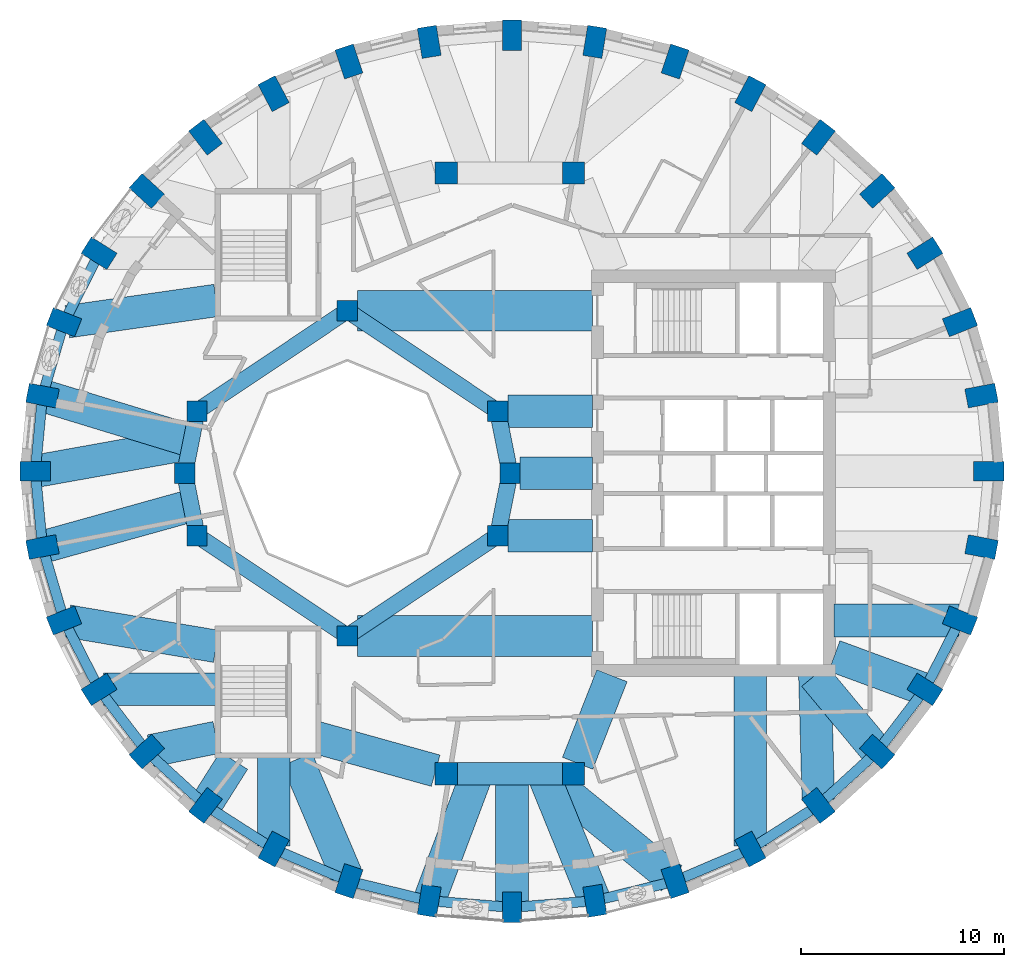
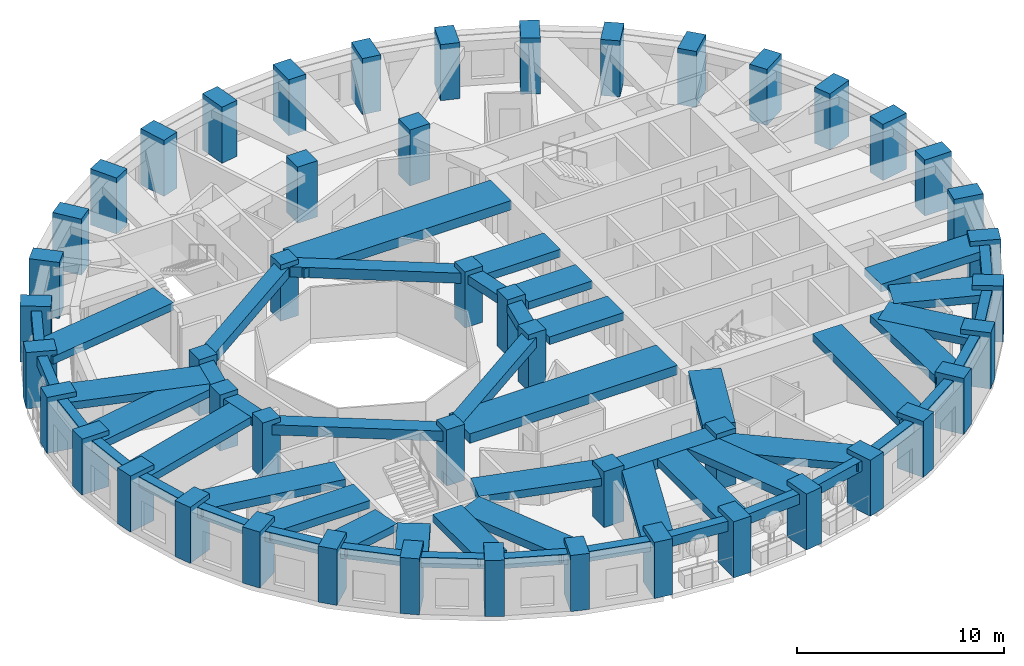
# One storey, part 1 of 11: 54 beams, 48 columns.
"""IFC4 building model written with IfcOpenShell, lengths in metres."""

from ifc_helpers import new_model, si_unit, direction, frame, origin, origin_2d, place, context, subcontext, project, spatial, rectangle, extrude, material, material_profile, profile_set, type_object, element, save


model = new_model("IFC4")

# Units and contexts
model_context = context("Model", 3, precision=1e-05, world=origin(), true_north=direction((0.0, 1.0)))
body_context = subcontext(model_context, "Body", "Model", "MODEL_VIEW")
ifc_project = project(units=[si_unit("LENGTHUNIT", "METRE"), si_unit("AREAUNIT", "SQUARE_METRE"), si_unit("VOLUMEUNIT", "CUBIC_METRE"), si_unit("PLANEANGLEUNIT", "RADIAN"), si_unit("MASSUNIT", "GRAM", prefix="KILO")], contexts=[model_context])

# Site, building, storey
site_placement = place(None, origin())
site = spatial("IfcSite", under=ifc_project, at=site_placement, CompositionType="ELEMENT")
building_placement = place(site_placement, origin())
building = spatial("IfcBuilding", under=site, at=building_placement, Name="Taillehof Tower", CompositionType="ELEMENT")
storey_placement = place(building_placement, frame((0.0, 0.0, 158.300048828125)))
storey = spatial("IfcBuildingStorey", under=building, at=storey_placement, Name="L44", CompositionType="ELEMENT", Elevation=158.300048828125)

# Columns
ifc_material_1 = material(Name="Concrete C50/60", Category="concrete")
ifc_material_profile_1 = material_profile(ifc_material_1, rectangle(XDim=1.0, YDim=1.0, at=origin_2d()), Name="RC 1000x1000")
ifc_profile_set_1 = profile_set([ifc_material_profile_1], Name="Concrete C50/60")
column_type_1 = type_object("IfcColumnType", Name="Atrium ring column C50/60 1000x1000", PredefinedType="COLUMN", material=ifc_profile_set_1)
for number, where, z_axis, x_axis, name in (
    (1, (0.0, 0.0, 0.0), (0.0, 0.0, 1.0), (1.0, 0.0, 0.0), "Column AC01"),
    (2, (-0.60888671875, 3.0615234375, 0.0), (0.0, 0.0, 1.0), (1.0, 0.0, 0.0), "Column AC02"),
    (3, (-8.0, 8.0, 0.0), (0.0, 0.0, 1.0), (1.0, 0.0, 0.0), "Column AC05"),
    (4, (-15.39111328125, 3.0615234375, 0.0), (0.0, 0.0, 1.0), (1.0, 0.0, 0.0), "Column AC08"),
    (5, (-16.0, 0.0, 0.0), (0.0, 0.0, 1.0), (1.0, 0.0, 0.0), "Column AC09"),
    (6, (-15.39111328125, -3.0615234375, 0.0), (0.0, 0.0, 1.0), (1.0, 0.0, 0.0), "Column AC10"),
    (7, (-8.0, -8.0, 0.0), (0.0, 0.0, 1.0), (1.0, 0.0, 0.0), "Column AC13"),
    (8, (-0.60888671875, -3.0615234375, 0.0), (0.0, 0.0, 1.0), (1.0, 0.0, 0.0), "Column AC16"),
):
    element("IfcColumn", number, at=place(storey_placement, frame(where, z_axis=z_axis, x_axis=x_axis)), inside=storey, type_object=column_type_1, Name=name, PredefinedType="COLUMN", context=body_context, shape_type="SweptSolid", body=[
        extrude(rectangle(XDim=1.0, YDim=1.0, at=origin_2d()), origin(), (0.0, 0.0, 1.0), 3.300048828125),
    ])
ifc_material_2 = material(Name="Concrete C50/60", Category="concrete")
ifc_material_profile_2 = material_profile(ifc_material_2, rectangle(XDim=1.10009765625, YDim=1.10009765625, at=origin_2d()), Name="RC 1100x1100")
ifc_profile_set_2 = profile_set([ifc_material_profile_2], Name="Concrete C50/60")
column_type_2 = type_object("IfcColumnType", Name="Mid-ring column C50/60 1100x1100", PredefinedType="COLUMN", material=ifc_profile_set_2)
for number, where, z_axis, x_axis, name in (
    (9, (3.125732421875, 14.772216796875, 0.0), (0.0, 0.0, 1.0), (1.0, 0.0, 0.0), "Column MC05"),
    (10, (-3.125732421875, 14.772216796875, 0.0), (0.0, 0.0, 1.0), (1.0, 0.0, 0.0), "Column MC06"),
    (11, (-3.125732421875, -14.772216796875, 0.0), (0.0, 0.0, 1.0), (1.0, 0.0, 0.0), "Column MC14"),
    (12, (3.125732421875, -14.772216796875, 0.0), (0.0, 0.0, 1.0), (1.0, 0.0, 0.0), "Column MC15"),
):
    element("IfcColumn", number, at=place(storey_placement, frame(where, z_axis=z_axis, x_axis=x_axis)), inside=storey, type_object=column_type_2, Name=name, PredefinedType="COLUMN", context=body_context, shape_type="SweptSolid", body=[
        extrude(rectangle(XDim=1.10009765625, YDim=1.10009765625, at=origin_2d()), origin(), (0.0, 0.0, 1.0), 3.300048828125),
    ])
ifc_material_3 = material(Name="Concrete C60/75", Category="concrete")
ifc_material_profile_3 = material_profile(ifc_material_3, rectangle(XDim=1.5, YDim=0.949951171875, at=origin_2d()), Name="RC 1500x950")
ifc_profile_set_3 = profile_set([ifc_material_profile_3], Name="Concrete C60/75")
column_type_3 = type_object("IfcColumnType", Name="Ring column C60/75 1500x950", PredefinedType="COLUMN", material=ifc_profile_set_3)
for number, where, z_axis, x_axis, name in (
    (13, (23.550048828125, 0.10009765625, 0.0), (0.0, 0.0, 1.0), (1.0, 0.0, 0.0), "Ring column RC01"),
    (14, (23.19384765625, 3.82470703125, 0.0), (0.0, 0.0, 1.0), (0.98202380309, 0.188757119508, 0.0), "Ring column RC02"),
    (15, (22.1357421875, 7.436279296875, 0.0), (0.0, 0.0, 1.0), (0.929511471762, 0.368793199317, 0.0), "Ring column RC03"),
    (16, (20.408203125, 10.824951171875, 0.0), (0.0, 0.0, 1.0), (0.846334224225, 0.532652213837, 0.0), "Ring column RC04"),
    (17, (18.063720703125, 13.8876953125, 0.0), (0.0, 0.0, 1.0), (0.7378786352, 0.674933418727, 0.0), "Ring column RC05"),
    (18, (15.17333984375, 16.53173828125, 0.0), (0.0, 0.0, 1.0), (0.609970500644, 0.792424121506, 0.0), "Ring column RC06"),
    (19, (11.824951171875, 18.67626953125, 0.0), (0.0, 0.0, 1.0), (0.468042101717, 0.883706167807, 0.0), "Ring column RC07"),
    (20, (8.120361328125, 20.25634765625, 0.0), (0.0, 0.0, 1.0), (0.316702950283, 0.948524771043, 0.0), "Ring column RC08"),
    (21, (4.172119140625, 21.22412109375, 0.0), (0.0, 0.0, 1.0), (0.159679090777, 0.987168976401, 0.0), "Ring column RC09"),
    (22, (0.10009765625, 21.550048828125, 0.0), (0.0, 0.0, 1.0), (0.0, 1.0, 0.0), "Ring column RC10"),
    (23, (-3.97216796875, 21.22412109375, 0.0), (0.0, 0.0, 1.0), (-0.159679090777, 0.987168976401, 0.0), "Ring column RC11"),
    (24, (-7.92041015625, 20.25634765625, 0.0), (0.0, 0.0, 1.0), (-0.316702950283, 0.948524771043, 0.0), "Ring column RC12"),
    (25, (-11.625, 18.67626953125, 0.0), (0.0, 0.0, 1.0), (-0.468042101717, 0.883706167807, 0.0), "Ring column RC13"),
    (26, (-14.973388671875, 16.53173828125, 0.0), (0.0, 0.0, 1.0), (-0.609970500644, 0.792424121506, 0.0), "Ring column RC14"),
    (27, (-17.86376953125, 13.8876953125, 0.0), (0.0, 0.0, 1.0), (-0.7378786352, 0.674933418727, 0.0), "Ring column RC15"),
    (28, (-20.208251953125, 10.824951171875, 0.0), (0.0, 0.0, 1.0), (-0.846334224225, 0.532652213837, 0.0), "Ring column RC16"),
    (29, (-21.935791015625, 7.436279296875, 0.0), (0.0, 0.0, 1.0), (-0.929511471762, 0.368793199317, 0.0), "Ring column RC17"),
    (30, (-22.99365234375, 3.82470703125, 0.0), (0.0, 0.0, 1.0), (-0.98202380309, 0.188757119508, 0.0), "Ring column RC18"),
    (31, (-23.35009765625, 0.10009765625, 0.0), (0.0, 0.0, 1.0), (-1.0, 0.0, 0.0), "Ring column RC19"),
    (32, (-22.99365234375, -3.624755859375, 0.0), (0.0, 0.0, 1.0), (-0.98202380309, -0.188757119508, 0.0), "Ring column RC20"),
    (33, (-21.935791015625, -7.236328125, 0.0), (0.0, 0.0, 1.0), (-0.929511471762, -0.368793199317, 0.0), "Ring column RC21"),
    (34, (-20.208251953125, -10.625, 0.0), (0.0, 0.0, 1.0), (-0.846334224225, -0.532652213837, 0.0), "Ring column RC22"),
    (35, (-17.86376953125, -13.687744140625, 0.0), (0.0, 0.0, 1.0), (-0.7378786352, -0.674933418727, 0.0), "Ring column RC23"),
    (36, (-14.973388671875, -16.33154296875, 0.0), (0.0, 0.0, 1.0), (-0.609970500644, -0.792424121506, 0.0), "Ring column RC24"),
    (37, (-11.625, -18.476318359375, 0.0), (0.0, 0.0, 1.0), (-0.468042101717, -0.883706167807, 0.0), "Ring column RC25"),
    (38, (-7.92041015625, -20.056396484375, 0.0), (0.0, 0.0, 1.0), (-0.316702950283, -0.948524771043, 0.0), "Ring column RC26"),
    (39, (-3.97216796875, -21.024169921875, 0.0), (0.0, 0.0, 1.0), (-0.159679090777, -0.987168976401, 0.0), "Ring column RC27"),
    (40, (0.10009765625, -21.35009765625, 0.0), (0.0, 0.0, 1.0), (0.0, -1.0, 0.0), "Ring column RC28"),
    (41, (4.172119140625, -21.024169921875, 0.0), (0.0, 0.0, 1.0), (0.159679090777, -0.987168976401, 0.0), "Ring column RC29"),
    (42, (8.120361328125, -20.056396484375, 0.0), (0.0, 0.0, 1.0), (0.316702950283, -0.948524771043, 0.0), "Ring column RC30"),
    (43, (11.824951171875, -18.476318359375, 0.0), (0.0, 0.0, 1.0), (0.468042101717, -0.883706167807, 0.0), "Ring column RC31"),
    (44, (15.17333984375, -16.33154296875, 0.0), (0.0, 0.0, 1.0), (0.609970500644, -0.792424121506, 0.0), "Ring column RC32"),
    (45, (18.063720703125, -13.687744140625, 0.0), (0.0, 0.0, 1.0), (0.7378786352, -0.674933418727, 0.0), "Ring column RC33"),
    (46, (20.408203125, -10.625, 0.0), (0.0, 0.0, 1.0), (0.846334224225, -0.532652213837, 0.0), "Ring column RC34"),
    (47, (22.1357421875, -7.236328125, 0.0), (0.0, 0.0, 1.0), (0.929511471762, -0.368793199317, 0.0), "Ring column RC35"),
    (48, (23.19384765625, -3.624755859375, 0.0), (0.0, 0.0, 1.0), (0.98202380309, -0.188757119508, 0.0), "Ring column RC36"),
):
    element("IfcColumn", number, at=place(storey_placement, frame(where, z_axis=z_axis, x_axis=x_axis)), inside=storey, type_object=column_type_3, Name=name, PredefinedType="COLUMN", context=body_context, shape_type="SweptSolid", body=[
        extrude(rectangle(XDim=1.5, YDim=0.949951171875, at=origin_2d()), origin(), (0.0, 0.0, 1.0), 3.300048828125),
    ])

# Beams
ifc_material_4 = material(Name="Concrete C50/60", Category="concrete")
ifc_material_profile_4 = material_profile(ifc_material_4, rectangle(XDim=0.800048828125, YDim=0.5, at=origin_2d()), Name="RC 800x500")
ifc_profile_set_4 = profile_set([ifc_material_profile_4], Name="Concrete C50/60")
beam_type_1 = type_object("IfcBeamType", Name="Atrium ring beam C50/60 800x500", PredefinedType="BEAM", material=ifc_profile_set_4)
for number, where, z_axis, x_axis, name in (
    (49, (0.0, 0.0, 2.77001953125), (-0.195063155143, 0.980790683839, 0.0), (-0.980790683839, -0.195063155143, 0.0), "Atrium ring beam AB01"),
    (50, (-15.39111328125, 3.0615234375, 2.77001953125), (-0.195063155143, -0.980790683839, 0.0), (0.980790683839, -0.195063155143, 0.0), "Atrium ring beam AB04"),
    (51, (-16.0, 0.0, 2.77001953125), (0.195063155143, -0.980790683839, 0.0), (0.980790683839, 0.195063155143, 0.0), "Atrium ring beam AB05"),
    (52, (-0.60888671875, -3.0615234375, 2.77001953125), (0.195063155143, 0.980790683839, 0.0), (-0.980790683839, 0.195063155143, 0.0), "Atrium ring beam AB08"),
):
    element("IfcBeam", number, at=place(storey_placement, frame(where, z_axis=z_axis, x_axis=x_axis)), inside=storey, type_object=beam_type_1, Name=name, PredefinedType="BEAM", context=body_context, shape_type="SweptSolid", body=[
        extrude(rectangle(XDim=0.800048828125, YDim=0.5, at=origin_2d()), origin(), (0.0, 0.0, 1.0), 3.12158203125),
    ])
ifc_material_5 = material(Name="Concrete C50/60", Category="concrete")
ifc_material_profile_5 = material_profile(ifc_material_5, rectangle(XDim=0.800048828125, YDim=0.60009765625, at=origin_2d()), Name="RC 800x600")
ifc_profile_set_5 = profile_set([ifc_material_profile_5], Name="Concrete C50/60")
beam_type_2 = type_object("IfcBeamType", Name="Atrium ring beam C50/60 800x600", PredefinedType="BEAM", material=ifc_profile_set_5)
for number, where, z_axis, x_axis, name in (
    (53, (-0.60888671875, 3.0615234375, 2.719970703125), (-0.831475195687, 0.555561876804, 0.0), (-0.555561876804, -0.831475195687, 0.0), "Atrium ring beam AB02"),
    (54, (-8.0, 8.0, 2.719970703125), (-0.831475195687, -0.555561876804, 0.0), (0.555561876804, -0.831475195687, 0.0), "Atrium ring beam AB03"),
    (55, (-15.39111328125, -3.0615234375, 2.719970703125), (0.831475195687, -0.555561876804, 0.0), (0.555561876804, 0.831475195687, 0.0), "Atrium ring beam AB06"),
    (56, (-8.0, -8.0, 2.719970703125), (0.831475195687, 0.555561876804, 0.0), (-0.555561876804, 0.831475195687, 0.0), "Atrium ring beam AB07"),
):
    element("IfcBeam", number, at=place(storey_placement, frame(where, z_axis=z_axis, x_axis=x_axis)), inside=storey, type_object=beam_type_2, Name=name, PredefinedType="BEAM", context=body_context, shape_type="SweptSolid", body=[
        extrude(rectangle(XDim=0.800048828125, YDim=0.60009765625, at=origin_2d()), origin(), (0.0, 0.0, 1.0), 8.88916015625),
    ])
ifc_material_6 = material(Name="Concrete C50/60", Category="concrete")
ifc_material_profile_6 = material_profile(ifc_material_6, rectangle(XDim=1.10009765625, YDim=0.60009765625, at=origin_2d()), Name="RC 1100x600")
ifc_profile_set_6 = profile_set([ifc_material_profile_6], Name="Concrete C50/60")
beam_type_3 = type_object("IfcBeamType", Name="Mid-ring beam C50/60 1100x600", PredefinedType="BEAM", material=ifc_profile_set_6)
beam_1_placement = place(storey_placement, frame((-3.125732421875, -14.772216796875, 2.719970703125), z_axis=(1.0, 0.0, 0.0), x_axis=(0.0, 1.0, 0.0)))
element("IfcBeam", 57, at=beam_1_placement, inside=storey, type_object=beam_type_3, Name="Mid-ring beam MB02", PredefinedType="BEAM", context=body_context, shape_type="SweptSolid", body=[
    extrude(rectangle(XDim=1.10009765625, YDim=0.60009765625, at=origin_2d()), origin(), (0.0, 0.0, 1.0), 6.25146484375),
])
ifc_material_7 = material(Name="Concrete C50/60", Category="concrete")
ifc_material_profile_7 = material_profile(ifc_material_7, rectangle(XDim=1.60009765625, YDim=0.449951171875, at=origin_2d()), Name="RC 1600x450")
ifc_profile_set_7 = profile_set([ifc_material_profile_7], Name="Concrete C50/60")
beam_type_4 = type_object("IfcBeamType", Name="Radial band beam C50/60 1600x450", PredefinedType="BEAM", material=ifc_profile_set_7)
beam_2_placement = place(storey_placement, frame((-21.766845703125, 7.46044921875, 2.794921875), z_axis=(0.989922388732, 0.141610961042, 0.0), x_axis=(-0.141610961042, 0.989922388732, 0.0)))
element("IfcBeam", 58, at=beam_2_placement, inside=storey, type_object=beam_type_4, Name="Radial band beam RB17", PredefinedType="BEAM", context=body_context, shape_type="SweptSolid", body=[
    extrude(rectangle(XDim=1.60009765625, YDim=0.449951171875, at=origin_2d()), origin(), (0.0, 0.0, 1.0), 7.390869140625),
])
beam_3_placement = place(storey_placement, frame((-22.99365234375, 3.82470703125, 2.794921875), z_axis=(0.956324293447, -0.292307792854, 0.0), x_axis=(0.292307792854, 0.956324293447, 0.0)))
element("IfcBeam", 59, at=beam_3_placement, inside=storey, type_object=beam_type_4, Name="Radial band beam RB18", PredefinedType="BEAM", context=body_context, shape_type="SweptSolid", body=[
    extrude(rectangle(XDim=1.60009765625, YDim=0.449951171875, at=origin_2d()), origin(), (0.0, 0.0, 1.0), 7.643798828125),
])
beam_4_placement = place(storey_placement, frame((-23.35009765625, 0.10009765625, 2.794921875), z_axis=(0.984286763882, 0.176577366745, 0.0), x_axis=(-0.176577366745, 0.984286763882, 0.0)))
element("IfcBeam", 60, at=beam_4_placement, inside=storey, type_object=beam_type_4, Name="Radial band beam RB19", PredefinedType="BEAM", context=body_context, shape_type="SweptSolid", body=[
    extrude(rectangle(XDim=1.60009765625, YDim=0.449951171875, at=origin_2d()), origin(), (0.0, 0.0, 1.0), 7.764892578125),
])
beam_5_placement = place(storey_placement, frame((-22.99365234375, -3.624755859375, 2.794921875), z_axis=(0.96338688135, 0.268115118639, 0.0), x_axis=(-0.268115118639, 0.96338688135, 0.0)))
element("IfcBeam", 61, at=beam_5_placement, inside=storey, type_object=beam_type_4, Name="Radial band beam RB20", PredefinedType="BEAM", context=body_context, shape_type="SweptSolid", body=[
    extrude(rectangle(XDim=1.60009765625, YDim=0.449951171875, at=origin_2d()), origin(), (0.0, 0.0, 1.0), 7.587890625),
])
beam_6_placement = place(storey_placement, frame((-21.744140625, -7.268798828125, 2.794921875), z_axis=(0.985864460395, -0.167544817079, 0.0), x_axis=(0.167544817079, 0.985864460395, 0.0)))
element("IfcBeam", 62, at=beam_6_placement, inside=storey, type_object=beam_type_4, Name="Radial band beam RB21", PredefinedType="BEAM", context=body_context, shape_type="SweptSolid", body=[
    extrude(rectangle(XDim=1.60009765625, YDim=0.449951171875, at=origin_2d()), origin(), (0.0, 0.0, 1.0), 7.39794921875),
])
beam_7_placement = place(storey_placement, frame((-19.9990234375, -10.625, 2.794921875), z_axis=(1.0, 0.0, 0.0), x_axis=(0.0, 1.0, 0.0)))
element("IfcBeam", 63, at=beam_7_placement, inside=storey, type_object=beam_type_4, Name="Radial band beam RB22", PredefinedType="BEAM", context=body_context, shape_type="SweptSolid", body=[
    extrude(rectangle(XDim=1.60009765625, YDim=0.449951171875, at=origin_2d()), origin(), (0.0, 0.0, 1.0), 5.549072265625),
])
beam_8_placement = place(storey_placement, frame((-17.678955078125, -13.64990234375, 2.794921875), z_axis=(0.979736748385, 0.200289550059, 0.0), x_axis=(-0.200289550059, 0.979736748385, 0.0)))
element("IfcBeam", 64, at=beam_8_placement, inside=storey, type_object=beam_type_4, Name="Radial band beam RB23", PredefinedType="BEAM", context=body_context, shape_type="SweptSolid", body=[
    extrude(rectangle(XDim=1.60009765625, YDim=0.449951171875, at=origin_2d()), origin(), (0.0, 0.0, 1.0), 3.294677734375),
])
beam_9_placement = place(storey_placement, frame((-14.973388671875, -16.33154296875, 2.794921875), z_axis=(0.534207803896, 0.845353193794, 0.0), x_axis=(-0.845353193794, 0.534207803896, 0.0)))
element("IfcBeam", 65, at=beam_9_placement, inside=storey, type_object=beam_type_4, Name="Radial band beam RB24", PredefinedType="BEAM", context=body_context, shape_type="SweptSolid", body=[
    extrude(rectangle(XDim=1.60009765625, YDim=0.449951171875, at=origin_2d()), origin(), (0.0, 0.0, 1.0), 2.608154296875),
])
beam_10_placement = place(storey_placement, frame((-11.625, -18.33642578125, 2.794921875), z_axis=(0.0, 1.0, 0.0), x_axis=(-1.0, 0.0, 0.0)))
element("IfcBeam", 66, at=beam_10_placement, inside=storey, type_object=beam_type_4, Name="Radial band beam RB25", PredefinedType="BEAM", context=body_context, shape_type="SweptSolid", body=[
    extrude(rectangle(XDim=1.60009765625, YDim=0.449951171875, at=origin_2d()), origin(), (0.0, 0.0, 1.0), 4.386474609375),
])
beam_11_placement = place(storey_placement, frame((-8.049072265625, -19.75390625, 2.794921875), z_axis=(-0.391879389257, 0.9200166, 0.0), x_axis=(-0.9200166, -0.391879389257, 0.0)))
element("IfcBeam", 67, at=beam_11_placement, inside=storey, type_object=beam_type_4, Name="Radial band beam RB26", PredefinedType="BEAM", context=body_context, shape_type="SweptSolid", body=[
    extrude(rectangle(XDim=1.60009765625, YDim=0.449951171875, at=origin_2d()), origin(), (0.0, 0.0, 1.0), 6.18505859375),
])
beam_12_placement = place(storey_placement, frame((-3.97216796875, -21.024169921875, 2.794921875), z_axis=(0.351379850477, 0.936232984186, 0.0), x_axis=(-0.936232984186, 0.351379850477, 0.0)))
element("IfcBeam", 68, at=beam_12_placement, inside=storey, type_object=beam_type_4, Name="Radial band beam RB27", PredefinedType="BEAM", context=body_context, shape_type="SweptSolid", body=[
    extrude(rectangle(XDim=1.60009765625, YDim=0.449951171875, at=origin_2d()), origin(), (0.0, 0.0, 1.0), 6.677734375),
])
beam_13_placement = place(storey_placement, frame((0.10009765625, -21.35009765625, 2.794921875), z_axis=(0.0, 1.0, 0.0), x_axis=(-1.0, 0.0, 0.0)))
element("IfcBeam", 69, at=beam_13_placement, inside=storey, type_object=beam_type_4, Name="Radial band beam RB28", PredefinedType="BEAM", context=body_context, shape_type="SweptSolid", body=[
    extrude(rectangle(XDim=1.60009765625, YDim=0.449951171875, at=origin_2d()), origin(), (0.0, 0.0, 1.0), 6.577880859375),
])
beam_14_placement = place(storey_placement, frame((4.172119140625, -21.024169921875, 2.794921875), z_axis=(-0.377207279938, 0.926128861424, 0.0), x_axis=(-0.926128861424, -0.377207279938, 0.0)))
element("IfcBeam", 70, at=beam_14_placement, inside=storey, type_object=beam_type_4, Name="Radial band beam RB29", PredefinedType="BEAM", context=body_context, shape_type="SweptSolid", body=[
    extrude(rectangle(XDim=1.60009765625, YDim=0.449951171875, at=origin_2d()), origin(), (0.0, 0.0, 1.0), 6.750732421875),
])
beam_15_placement = place(storey_placement, frame((7.95556640625, -19.92236328125, 2.794921875), z_axis=(-0.775687012842, 0.631117784655, 0.0), x_axis=(-0.631117784655, -0.775687012842, 0.0)))
element("IfcBeam", 71, at=beam_15_placement, inside=storey, type_object=beam_type_4, Name="Radial band beam RB30", PredefinedType="BEAM", context=body_context, shape_type="SweptSolid", body=[
    extrude(rectangle(XDim=1.60009765625, YDim=0.449951171875, at=origin_2d()), origin(), (0.0, 0.0, 1.0), 8.048583984375),
])
beam_16_placement = place(storey_placement, frame((11.824951171875, -18.33642578125, 2.794921875), z_axis=(0.0, 1.0, 0.0), x_axis=(-1.0, 0.0, 0.0)))
element("IfcBeam", 72, at=beam_16_placement, inside=storey, type_object=beam_type_4, Name="Radial band beam RB31", PredefinedType="BEAM", context=body_context, shape_type="SweptSolid", body=[
    extrude(rectangle(XDim=1.60009765625, YDim=0.449951171875, at=origin_2d()), origin(), (0.0, 0.0, 1.0), 8.386474609375),
])
beam_17_placement = place(storey_placement, frame((15.166015625, -16.060546875, 2.794921875), z_axis=(-0.027397917621, 0.999624606595, 0.0), x_axis=(-0.999624606595, -0.027397917621, 0.0)))
element("IfcBeam", 73, at=beam_17_placement, inside=storey, type_object=beam_type_4, Name="Radial band beam RB32", PredefinedType="BEAM", context=body_context, shape_type="SweptSolid", body=[
    extrude(rectangle(XDim=1.60009765625, YDim=0.449951171875, at=origin_2d()), origin(), (0.0, 0.0, 1.0), 6.11279296875),
])
beam_18_placement = place(storey_placement, frame((18.063720703125, -13.687744140625, 2.794921875), z_axis=(-0.639018777093, 0.769191135234, 0.0), x_axis=(-0.769191135234, -0.639018777093, 0.0)))
element("IfcBeam", 74, at=beam_18_placement, inside=storey, type_object=beam_type_4, Name="Radial band beam RB33", PredefinedType="BEAM", context=body_context, shape_type="SweptSolid", body=[
    extrude(rectangle(XDim=1.60009765625, YDim=0.449951171875, at=origin_2d()), origin(), (0.0, 0.0, 1.0), 4.844482421875),
])
beam_19_placement = place(storey_placement, frame((20.408203125, -10.625, 2.794921875), z_axis=(-0.938275503033, 0.345888826661, 0.0), x_axis=(-0.345888826661, -0.938275503033, 0.0)))
element("IfcBeam", 75, at=beam_19_placement, inside=storey, type_object=beam_type_4, Name="Radial band beam RB34", PredefinedType="BEAM", context=body_context, shape_type="SweptSolid", body=[
    extrude(rectangle(XDim=1.60009765625, YDim=0.449951171875, at=origin_2d()), origin(), (0.0, 0.0, 1.0), 4.748046875),
])
beam_20_placement = place(storey_placement, frame((22.08642578125, -7.236328125, 2.794921875), z_axis=(-1.0, 0.0, 0.0), x_axis=(0.0, -1.0, 0.0)))
element("IfcBeam", 76, at=beam_20_placement, inside=storey, type_object=beam_type_4, Name="Radial band beam RB35", PredefinedType="BEAM", context=body_context, shape_type="SweptSolid", body=[
    extrude(rectangle(XDim=1.60009765625, YDim=0.449951171875, at=origin_2d()), origin(), (0.0, 0.0, 1.0), 6.136474609375),
])
beam_21_placement = place(storey_placement, frame((0.5, 0.0, 2.794921875), z_axis=(1.0, 0.0, 0.0), x_axis=(0.0, 1.0, 0.0)))
element("IfcBeam", 77, at=beam_21_placement, inside=storey, type_object=beam_type_4, Name="Inner band beam IB101", PredefinedType="BEAM", context=body_context, shape_type="SweptSolid", body=[
    extrude(rectangle(XDim=1.60009765625, YDim=0.449951171875, at=origin_2d()), origin(), (0.0, 0.0, 1.0), 3.550048828125),
])
for number, where, z_axis, x_axis, name in (
    (78, (-0.10888671875, 3.0615234375, 2.794921875), (1.0, 0.0, 0.0), (0.0, 1.0, 0.0), "Inner band beam IB102"),
    (79, (-0.10888671875, -3.0615234375, 2.794921875), (1.0, 0.0, 0.0), (0.0, 1.0, 0.0), "Inner band beam IB116"),
):
    element("IfcBeam", number, at=place(storey_placement, frame(where, z_axis=z_axis, x_axis=x_axis)), inside=storey, type_object=beam_type_4, Name=name, PredefinedType="BEAM", context=body_context, shape_type="SweptSolid", body=[
        extrude(rectangle(XDim=1.60009765625, YDim=0.449951171875, at=origin_2d()), origin(), (0.0, 0.0, 1.0), 4.158935546875),
    ])
beam_22_placement = place(storey_placement, frame((-3.655517578125, -14.624755859375, 2.794921875), z_axis=(-0.963459369536, 0.267854518821, 0.0), x_axis=(-0.267854518821, -0.963459369536, 0.0)))
element("IfcBeam", 80, at=beam_22_placement, inside=storey, type_object=beam_type_4, Name="Inner band beam IB214", PredefinedType="BEAM", context=body_context, shape_type="SweptSolid", body=[
    extrude(rectangle(XDim=1.60009765625, YDim=0.449951171875, at=origin_2d()), origin(), (0.0, 0.0, 1.0), 6.096923828125),
])
beam_23_placement = place(storey_placement, frame((3.32666015625, -14.26025390625, 2.794921875), z_axis=(0.365588707223, 0.930776502255, 0.0), x_axis=(-0.930776502255, 0.365588707223, 0.0)))
element("IfcBeam", 81, at=beam_23_placement, inside=storey, type_object=beam_type_4, Name="Inner band beam IB215", PredefinedType="BEAM", context=body_context, shape_type="SweptSolid", body=[
    extrude(rectangle(XDim=1.60009765625, YDim=0.449951171875, at=origin_2d()), origin(), (0.0, 0.0, 1.0), 4.627197265625),
])
ifc_material_8 = material(Name="Concrete C50/60", Category="concrete")
ifc_material_profile_8 = material_profile(ifc_material_8, rectangle(XDim=2.0, YDim=0.550048828125, at=origin_2d()), Name="RC 2000x550")
ifc_profile_set_8 = profile_set([ifc_material_profile_8], Name="Concrete C50/60")
beam_type_5 = type_object("IfcBeamType", Name="Radial band beam C50/60 2000x550", PredefinedType="BEAM", material=ifc_profile_set_8)
for number, where, z_axis, x_axis, name in (
    (82, (-7.5, 8.0, 2.744873046875), (1.0, 0.0, 0.0), (0.0, 1.0, 0.0), "Inner band beam IB105"),
    (83, (-7.5, -8.0, 2.744873046875), (1.0, 0.0, 0.0), (0.0, 1.0, 0.0), "Inner band beam IB113"),
):
    element("IfcBeam", number, at=place(storey_placement, frame(where, z_axis=z_axis, x_axis=x_axis)), inside=storey, type_object=beam_type_5, Name=name, PredefinedType="BEAM", context=body_context, shape_type="SweptSolid", body=[
        extrude(rectangle(XDim=2.0, YDim=0.550048828125, at=origin_2d()), origin(), (0.0, 0.0, 1.0), 11.550048828125),
    ])
ifc_material_9 = material(Name="Concrete C50/60", Category="concrete")
ifc_material_profile_9 = material_profile(ifc_material_9, rectangle(XDim=0.5, YDim=0.60009765625, at=origin_2d()), Name="RC 500x600")
ifc_profile_set_9 = profile_set([ifc_material_profile_9], Name="Concrete C50/60")
beam_type_6 = type_object("IfcBeamType", Name="Spandrel beam C50/60 500x600", PredefinedType="SPANDREL", material=ifc_profile_set_9)
beam_24_placement = place(storey_placement, frame((-20.208251953125, 10.824951171875, 2.719970703125), z_axis=(-0.454183451696, -0.890908183937, 0.0), x_axis=(0.890908183937, -0.454183451696, 0.0)))
element("IfcBeam", 84, at=beam_24_placement, inside=storey, type_object=beam_type_6, Name="Spandrel beam SB16", PredefinedType="SPANDREL", context=body_context, shape_type="SweptSolid", body=[
    extrude(rectangle(XDim=0.5, YDim=0.60009765625, at=origin_2d()), origin(), (0.0, 0.0, 1.0), 3.8037109375),
])
beam_25_placement = place(storey_placement, frame((-21.935791015625, 7.436279296875, 2.719970703125), z_axis=(-0.281098416478, -0.959678946447, 0.0), x_axis=(0.959678946447, -0.281098416478, 0.0)))
element("IfcBeam", 85, at=beam_25_placement, inside=storey, type_object=beam_type_6, Name="Spandrel beam SB17", PredefinedType="SPANDREL", context=body_context, shape_type="SweptSolid", body=[
    extrude(rectangle(XDim=0.5, YDim=0.60009765625, at=origin_2d()), origin(), (0.0, 0.0, 1.0), 3.763427734375),
])
beam_26_placement = place(storey_placement, frame((-22.99365234375, 3.82470703125, 2.719970703125), z_axis=(-0.095264805358, -0.995451966124, 0.0), x_axis=(0.995451966124, -0.095264805358, 0.0)))
element("IfcBeam", 86, at=beam_26_placement, inside=storey, type_object=beam_type_6, Name="Spandrel beam SB18", PredefinedType="SPANDREL", context=body_context, shape_type="SweptSolid", body=[
    extrude(rectangle(XDim=0.5, YDim=0.60009765625, at=origin_2d()), origin(), (0.0, 0.0, 1.0), 3.74169921875),
])
beam_27_placement = place(storey_placement, frame((-23.35009765625, 0.10009765625, 2.719970703125), z_axis=(0.095258618013, -0.995452558234, 0.0), x_axis=(0.995452558234, 0.095258618013, 0.0)))
element("IfcBeam", 87, at=beam_27_placement, inside=storey, type_object=beam_type_6, Name="Spandrel beam SB19", PredefinedType="SPANDREL", context=body_context, shape_type="SweptSolid", body=[
    extrude(rectangle(XDim=0.5, YDim=0.60009765625, at=origin_2d()), origin(), (0.0, 0.0, 1.0), 3.741943359375),
])
beam_28_placement = place(storey_placement, frame((-22.99365234375, -3.624755859375, 2.719970703125), z_axis=(0.281098416478, -0.959678946447, 0.0), x_axis=(0.959678946447, 0.281098416478, 0.0)))
element("IfcBeam", 88, at=beam_28_placement, inside=storey, type_object=beam_type_6, Name="Spandrel beam SB20", PredefinedType="SPANDREL", context=body_context, shape_type="SweptSolid", body=[
    extrude(rectangle(XDim=0.5, YDim=0.60009765625, at=origin_2d()), origin(), (0.0, 0.0, 1.0), 3.763427734375),
])
beam_29_placement = place(storey_placement, frame((-21.935791015625, -7.236328125, 2.719970703125), z_axis=(0.454183451696, -0.890908183937, 0.0), x_axis=(0.890908183937, 0.454183451696, 0.0)))
element("IfcBeam", 89, at=beam_29_placement, inside=storey, type_object=beam_type_6, Name="Spandrel beam SB21", PredefinedType="SPANDREL", context=body_context, shape_type="SweptSolid", body=[
    extrude(rectangle(XDim=0.5, YDim=0.60009765625, at=origin_2d()), origin(), (0.0, 0.0, 1.0), 3.8037109375),
])
beam_30_placement = place(storey_placement, frame((-20.208251953125, -10.625, 2.719970703125), z_axis=(0.60784004271, -0.794059495553, 0.0), x_axis=(0.794059495553, 0.60784004271, 0.0)))
element("IfcBeam", 90, at=beam_30_placement, inside=storey, type_object=beam_type_6, Name="Spandrel beam SB22", PredefinedType="SPANDREL", context=body_context, shape_type="SweptSolid", body=[
    extrude(rectangle(XDim=0.5, YDim=0.60009765625, at=origin_2d()), origin(), (0.0, 0.0, 1.0), 3.857177734375),
])
beam_31_placement = place(storey_placement, frame((-17.86376953125, -13.687744140625, 2.719970703125), z_axis=(0.737880696592, -0.674931165081, 0.0), x_axis=(0.674931165081, 0.737880696592, 0.0)))
element("IfcBeam", 91, at=beam_31_placement, inside=storey, type_object=beam_type_6, Name="Spandrel beam SB23", PredefinedType="SPANDREL", context=body_context, shape_type="SweptSolid", body=[
    extrude(rectangle(XDim=0.5, YDim=0.60009765625, at=origin_2d()), origin(), (0.0, 0.0, 1.0), 3.917236328125),
])
beam_32_placement = place(storey_placement, frame((-14.973388671875, -16.33154296875, 2.719970703125), z_axis=(0.842065054946, -0.539375975771, 0.0), x_axis=(0.539375975771, 0.842065054946, 0.0)))
element("IfcBeam", 92, at=beam_32_placement, inside=storey, type_object=beam_type_6, Name="Spandrel beam SB24", PredefinedType="SPANDREL", context=body_context, shape_type="SweptSolid", body=[
    extrude(rectangle(XDim=0.5, YDim=0.60009765625, at=origin_2d()), origin(), (0.0, 0.0, 1.0), 3.976318359375),
])
beam_33_placement = place(storey_placement, frame((-11.625, -18.476318359375, 2.719970703125), z_axis=(0.919827173659, -0.392323808351, 0.0), x_axis=(0.392323808351, 0.919827173659, 0.0)))
element("IfcBeam", 93, at=beam_33_placement, inside=storey, type_object=beam_type_6, Name="Spandrel beam SB25", PredefinedType="SPANDREL", context=body_context, shape_type="SweptSolid", body=[
    extrude(rectangle(XDim=0.5, YDim=0.60009765625, at=origin_2d()), origin(), (0.0, 0.0, 1.0), 4.027587890625),
])
beam_34_placement = place(storey_placement, frame((-7.92041015625, -20.056396484375, 2.719970703125), z_axis=(0.971248584585, -0.238067610023, 0.0), x_axis=(0.238067610023, 0.971248584585, 0.0)))
element("IfcBeam", 94, at=beam_34_placement, inside=storey, type_object=beam_type_6, Name="Spandrel beam SB26", PredefinedType="SPANDREL", context=body_context, shape_type="SweptSolid", body=[
    extrude(rectangle(XDim=0.5, YDim=0.60009765625, at=origin_2d()), origin(), (0.0, 0.0, 1.0), 4.065185546875),
])
beam_35_placement = place(storey_placement, frame((-3.97216796875, -21.024169921875, 2.719970703125), z_axis=(0.996812427616, -0.079780850771, 0.0), x_axis=(0.079780850771, 0.996812427616, 0.0)))
element("IfcBeam", 95, at=beam_35_placement, inside=storey, type_object=beam_type_6, Name="Spandrel beam SB27", PredefinedType="SPANDREL", context=body_context, shape_type="SweptSolid", body=[
    extrude(rectangle(XDim=0.5, YDim=0.60009765625, at=origin_2d()), origin(), (0.0, 0.0, 1.0), 4.085205078125),
])
beam_36_placement = place(storey_placement, frame((0.10009765625, -21.35009765625, 2.719970703125), z_axis=(0.996812047205, 0.079785603634, 0.0), x_axis=(-0.079785603634, 0.996812047205, 0.0)))
element("IfcBeam", 96, at=beam_36_placement, inside=storey, type_object=beam_type_6, Name="Spandrel beam SB28", PredefinedType="SPANDREL", context=body_context, shape_type="SweptSolid", body=[
    extrude(rectangle(XDim=0.5, YDim=0.60009765625, at=origin_2d()), origin(), (0.0, 0.0, 1.0), 4.0849609375),
])
beam_37_placement = place(storey_placement, frame((4.172119140625, -21.024169921875, 2.719970703125), z_axis=(0.971248584585, 0.238067610023, 0.0), x_axis=(-0.238067610023, 0.971248584585, 0.0)))
element("IfcBeam", 97, at=beam_37_placement, inside=storey, type_object=beam_type_6, Name="Spandrel beam SB29", PredefinedType="SPANDREL", context=body_context, shape_type="SweptSolid", body=[
    extrude(rectangle(XDim=0.5, YDim=0.60009765625, at=origin_2d()), origin(), (0.0, 0.0, 1.0), 4.065185546875),
])
beam_38_placement = place(storey_placement, frame((8.120361328125, -20.056396484375, 2.719970703125), z_axis=(0.919827173659, 0.392323808351, 0.0), x_axis=(-0.392323808351, 0.919827173659, 0.0)))
element("IfcBeam", 98, at=beam_38_placement, inside=storey, type_object=beam_type_6, Name="Spandrel beam SB30", PredefinedType="SPANDREL", context=body_context, shape_type="SweptSolid", body=[
    extrude(rectangle(XDim=0.5, YDim=0.60009765625, at=origin_2d()), origin(), (0.0, 0.0, 1.0), 4.027587890625),
])
beam_39_placement = place(storey_placement, frame((11.824951171875, -18.476318359375, 2.719970703125), z_axis=(0.842065054946, 0.539375975771, 0.0), x_axis=(-0.539375975771, 0.842065054946, 0.0)))
element("IfcBeam", 99, at=beam_39_placement, inside=storey, type_object=beam_type_6, Name="Spandrel beam SB31", PredefinedType="SPANDREL", context=body_context, shape_type="SweptSolid", body=[
    extrude(rectangle(XDim=0.5, YDim=0.60009765625, at=origin_2d()), origin(), (0.0, 0.0, 1.0), 3.976318359375),
])
beam_40_placement = place(storey_placement, frame((15.17333984375, -16.33154296875, 2.719970703125), z_axis=(0.737880696592, 0.674931165081, 0.0), x_axis=(-0.674931165081, 0.737880696592, 0.0)))
element("IfcBeam", 100, at=beam_40_placement, inside=storey, type_object=beam_type_6, Name="Spandrel beam SB32", PredefinedType="SPANDREL", context=body_context, shape_type="SweptSolid", body=[
    extrude(rectangle(XDim=0.5, YDim=0.60009765625, at=origin_2d()), origin(), (0.0, 0.0, 1.0), 3.917236328125),
])
beam_41_placement = place(storey_placement, frame((18.063720703125, -13.687744140625, 2.719970703125), z_axis=(0.60784004271, 0.794059495553, 0.0), x_axis=(-0.794059495553, 0.60784004271, 0.0)))
element("IfcBeam", 101, at=beam_41_placement, inside=storey, type_object=beam_type_6, Name="Spandrel beam SB33", PredefinedType="SPANDREL", context=body_context, shape_type="SweptSolid", body=[
    extrude(rectangle(XDim=0.5, YDim=0.60009765625, at=origin_2d()), origin(), (0.0, 0.0, 1.0), 3.857177734375),
])
beam_42_placement = place(storey_placement, frame((20.408203125, -10.625, 2.719970703125), z_axis=(0.454183451696, 0.890908183937, 0.0), x_axis=(-0.890908183937, 0.454183451696, 0.0)))
element("IfcBeam", 102, at=beam_42_placement, inside=storey, type_object=beam_type_6, Name="Spandrel beam SB34", PredefinedType="SPANDREL", context=body_context, shape_type="SweptSolid", body=[
    extrude(rectangle(XDim=0.5, YDim=0.60009765625, at=origin_2d()), origin(), (0.0, 0.0, 1.0), 3.8037109375),
])

save(model, "model.ifc")
